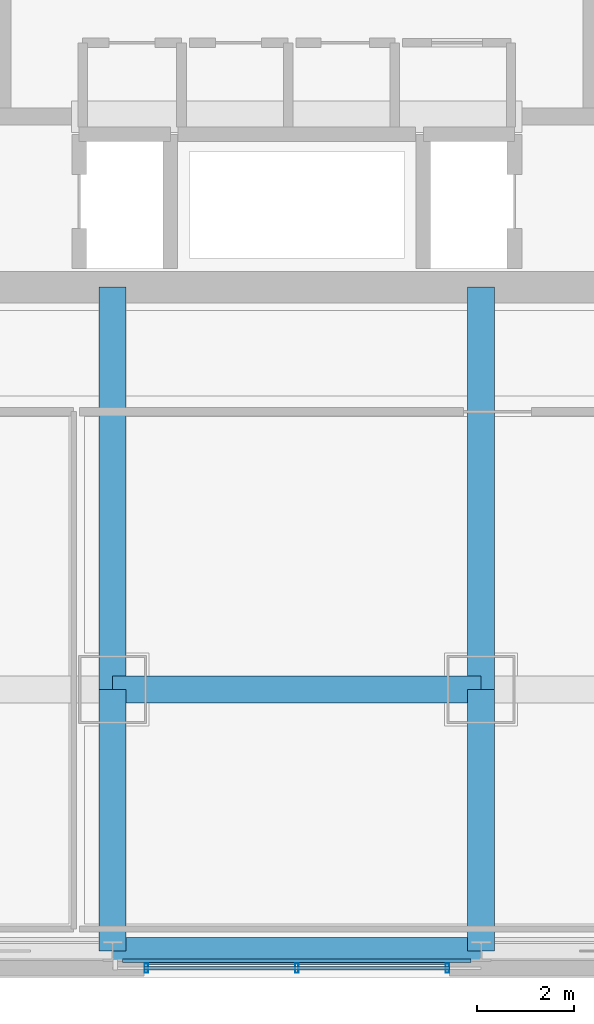
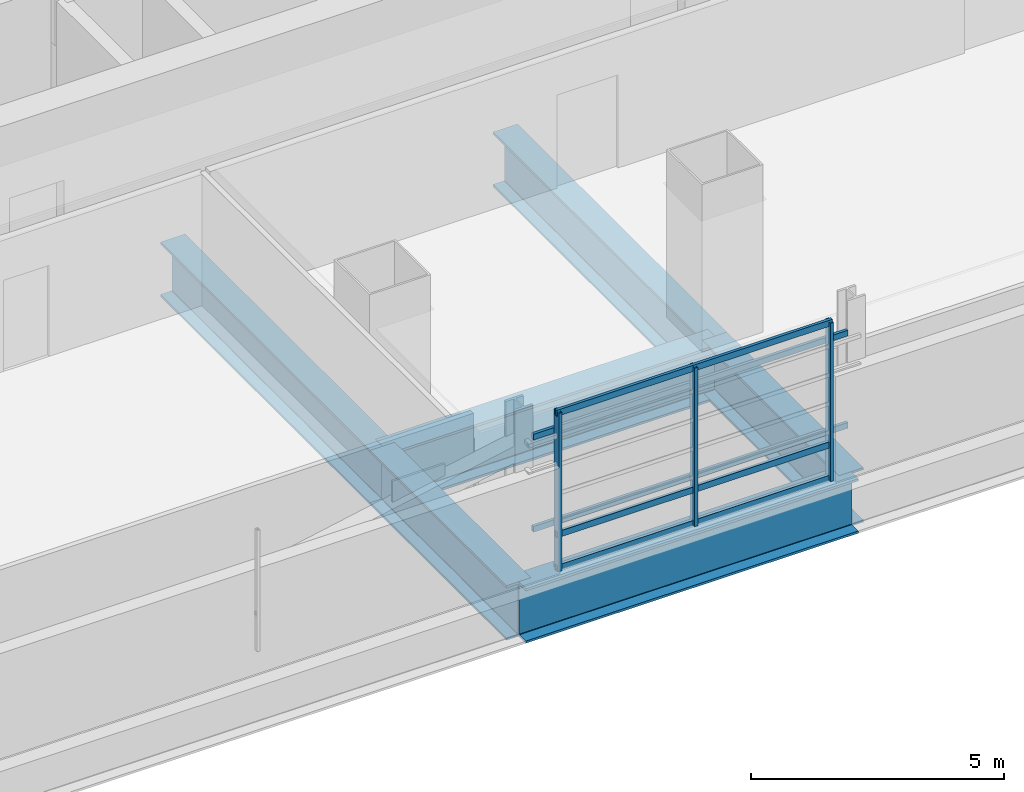
# One storey, part 2 of 27: 8 members, 6 beams, 1 element without a shape of its own.
"""IFC4 building model written with IfcOpenShell, lengths in metres."""

import ifcopenshell
import ifcopenshell.guid

model = None  # the IFC model being written
_history = None  # IfcOwnerHistory: only IFC2X3 demands one
_inside = {}  # id of a spatial element -> (the spatial element, [elements in it])
_under = {}  # id of a project, library or spatial element -> (it, [spatial elements below it])
_declared = {}  # id of a project -> (the project, [libraries it declares])
_typed = {}  # id of a type object -> (the type object, [elements of that type])
_made_of = {}  # id of a material, layer set ... -> (it, [elements and type objects made of it])


def new_model(schema):
    """Start an empty IFC model of exactly this schema.

    Asked for "IFC4X3", IfcOpenShell would pick the latest addendum, in which some entities
    have other attributes; the version numbers below select the first issue.
    IFC2X3 requires an IfcOwnerHistory on every rooted entity: one is made here for all.
    """
    global model, _history
    if schema == "IFC4X3":
        model = ifcopenshell.file(schema_version=(4, 3, 0, 0))
    else:
        model = ifcopenshell.file(schema=schema)
    _inside.clear()
    _under.clear()
    _declared.clear()
    _typed.clear()
    _made_of.clear()
    _history = None
    if model.schema == "IFC2X3":
        org = make("IfcOrganization", Name="unknown")
        user = make(
            "IfcPersonAndOrganization",
            ThePerson=make("IfcPerson", FamilyName="unknown"),
            TheOrganization=org,
        )
        app = make(
            "IfcApplication",
            ApplicationDeveloper=org,
            Version="unknown",
            ApplicationFullName="unknown",
            ApplicationIdentifier="unknown",
        )
        _history = make(
            "IfcOwnerHistory",
            OwningUser=user,
            OwningApplication=app,
            ChangeAction="ADDED",
            CreationDate=0,
        )
    return model


def make(cls, **values):
    """One entity of the class cls with the attributes given. An attribute that is None is left unset."""
    return model.create_entity(
        cls, **{name: value for name, value in values.items() if value is not None}
    )


def rooted(cls, **values):
    """An entity with a GlobalId (a new one), such as an element, a storey or a relation."""
    return make(cls, GlobalId=ifcopenshell.guid.new(), OwnerHistory=_history, **values)


def si_unit(unit_type, name, prefix=None):
    """IfcSIUnit, for example si_unit("LENGTHUNIT", "METRE", prefix="MILLI")."""
    return make("IfcSIUnit", UnitType=unit_type, Prefix=prefix, Name=name)


def assignment(units):
    """IfcUnitAssignment: the units of a project."""
    return None if units is None else make("IfcUnitAssignment", Units=units)


def point(xyz):
    """IfcCartesianPoint."""
    return None if xyz is None else make("IfcCartesianPoint", Coordinates=xyz)


def direction(xyz):
    """IfcDirection."""
    return None if xyz is None else make("IfcDirection", DirectionRatios=xyz)


def frame(location, z_axis=None, x_axis=None):
    """IfcAxis2Placement3D, a coordinate frame: its origin and axes. An axis left out is left unset."""
    return make(
        "IfcAxis2Placement3D",
        Location=point(location),
        Axis=direction(z_axis),
        RefDirection=direction(x_axis),
    )


def frame_2d(location, x_axis=None):
    """IfcAxis2Placement2D, a coordinate frame in the plane: its origin and x axis."""
    return make(
        "IfcAxis2Placement2D", Location=point(location), RefDirection=direction(x_axis)
    )


def origin():
    """The frame at (0, 0, 0) with its axes left unset."""
    return frame((0.0, 0.0, 0.0))


def origin_2d():
    """The frame at (0, 0) in the plane with its x axis left unset."""
    return frame_2d((0.0, 0.0))


def place(relative_to, where):
    """IfcLocalPlacement: puts the frame where relative to a parent placement (None: the world)."""
    return make(
        "IfcLocalPlacement", PlacementRelTo=relative_to, RelativePlacement=where
    )


def context(
    kind, dimensions, precision=None, world=None, true_north=None, identifier=None
):
    """IfcGeometricRepresentationContext, for example the 3D "Model" context."""
    return make(
        "IfcGeometricRepresentationContext",
        ContextIdentifier=identifier,
        ContextType=kind,
        CoordinateSpaceDimension=dimensions,
        Precision=precision,
        WorldCoordinateSystem=world,
        TrueNorth=true_north,
    )


def subcontext(parent, identifier, kind, view, scale=None):
    """IfcGeometricRepresentationSubContext, for example "Body" below "Model"."""
    return make(
        "IfcGeometricRepresentationSubContext",
        ContextIdentifier=identifier,
        ContextType=kind,
        ParentContext=parent,
        TargetScale=scale,
        TargetView=view,
    )


def project(units=None, contexts=None):
    """IfcProject with its units and contexts."""
    return rooted(
        "IfcProject",
        Name="project",
        RepresentationContexts=contexts,
        UnitsInContext=assignment(units),
    )


def spatial(cls, under=None, at=None, **own):
    """A site, building, storey or space (cls), placed at a placement, below another one or the project."""
    s = rooted(cls, ObjectPlacement=at, **own)
    if under is not None:
        _under.setdefault(under.id(), (under, []))[1].append(s)
    return s


def profile(cls, at=None, kind="AREA", **sizes):
    """A parametric profile (cls). Its sizes go by their IFC names, for example OverallWidth=200.0."""
    return make(cls, ProfileType=kind, Position=at, **sizes)


def hollow_rectangle(**sizes):
    """IfcRectangleHollowProfileDef."""
    return profile("IfcRectangleHollowProfileDef", **sizes)


def i_section(**sizes):
    """IfcIShapeProfileDef."""
    return profile("IfcIShapeProfileDef", **sizes)


def extrude(swept, where, along, depth):
    """IfcExtrudedAreaSolid: the profile swept, set in the frame where, extruded along a direction by depth."""
    return make(
        "IfcExtrudedAreaSolid",
        SweptArea=swept,
        Position=where,
        ExtrudedDirection=direction(along),
        Depth=depth,
    )


def shape(context_of_items, identifier, shape_type, items):
    """IfcShapeRepresentation: the items that make up one representation, for example the "Body"."""
    return make(
        "IfcShapeRepresentation",
        ContextOfItems=context_of_items,
        RepresentationIdentifier=identifier,
        RepresentationType=shape_type,
        Items=items,
    )


def material(Name=None, Category=None):
    """IfcMaterial."""
    return make("IfcMaterial", Name=Name, Category=Category)


def material_profile(
    of_material, cross_section, Name=None, Category=None, Priority=None
):
    """IfcMaterialProfile: a cross section and its material."""
    return make(
        "IfcMaterialProfile",
        Name=Name,
        Material=of_material,
        Profile=cross_section,
        Priority=Priority,
        Category=Category,
    )


def profile_set(profiles, Name=None, composite=None):
    """IfcMaterialProfileSet."""
    return make(
        "IfcMaterialProfileSet",
        Name=Name,
        MaterialProfiles=profiles,
        CompositeProfile=composite,
    )


def made_of(thing, what):
    """Note that an element or type object is made of a material, layer set ...; save() writes the relation."""
    if what is not None:
        _made_of.setdefault(what.id(), (what, []))[1].append(thing)
    return thing


def type_object(cls, material=None, **own):
    """A type object (cls), such as IfcWallType, which elements share."""
    return made_of(rooted(cls, **own), material)


def element(
    cls,
    number,
    at=None,
    inside=None,
    cuts=None,
    type_object=None,
    material=None,
    context=None,
    identifier="Body",
    shape_type=None,
    held_by="IfcProductDefinitionShape",
    body=None,
    shapes=None,
    **own,
):
    """One element of the class cls, such as IfcWall. Its Tag is "e" and its number.

    at: its placement. inside: the storey or other place that contains it. cuts: it is an
    opening in that element (IfcRelVoidsElement). A single representation is given by context,
    identifier, shape_type and body (its items); several are given by shapes. held_by: the class
    of the entity that holds the representations. save() writes the other relations.
    """
    e = rooted(cls, Tag="e%d" % number, ObjectPlacement=at, **own)
    if body is not None:
        shapes = [shape(context, identifier, shape_type, body)]
    if shapes is not None:
        e.Representation = make(held_by, Representations=shapes)
    if inside is not None:
        _inside.setdefault(inside.id(), (inside, []))[1].append(e)
    if cuts is not None:
        rooted(
            "IfcRelVoidsElement", RelatingBuildingElement=cuts, RelatedOpeningElement=e
        )
    if type_object is not None:
        _typed.setdefault(type_object.id(), (type_object, []))[1].append(e)
    return made_of(e, material)


def aggregate(whole, parts):
    """IfcRelAggregates: a whole, such as a stair, and the parts it consists of."""
    return rooted("IfcRelAggregates", RelatingObject=whole, RelatedObjects=parts)


def save(model, path):
    """Write the relations noted so far, then the file.

    IfcRelAggregates (storeys below a building ...), IfcRelContainedInSpatialStructure (elements
    in a storey), IfcRelDefinesByType, IfcRelAssociatesMaterial and IfcRelDeclares: one each for
    every whole, place, type object, material and project.
    """
    for whole, parts in _under.values():
        aggregate(whole, parts)
    for where, things in _inside.values():
        rooted(
            "IfcRelContainedInSpatialStructure",
            RelatedElements=things,
            RelatingStructure=where,
        )
    for kind, things in _typed.values():
        rooted("IfcRelDefinesByType", RelatedObjects=things, RelatingType=kind)
    for what, things in _made_of.values():
        rooted("IfcRelAssociatesMaterial", RelatedObjects=things, RelatingMaterial=what)
    for by, libraries in _declared.values():
        rooted("IfcRelDeclares", RelatingContext=by, RelatedDefinitions=libraries)
    model.write(path)


model = new_model("IFC4")

# Units and contexts
model_context = context("Model", 3, precision=1e-05, world=origin(), true_north=direction((0.0, 1.0)))
body_context = subcontext(model_context, "Body", "Model", "MODEL_VIEW")
ifc_project = project(units=[si_unit("LENGTHUNIT", "METRE"), si_unit("AREAUNIT", "SQUARE_METRE"), si_unit("VOLUMEUNIT", "CUBIC_METRE"), si_unit("PLANEANGLEUNIT", "RADIAN"), si_unit("MASSUNIT", "GRAM", prefix="KILO")], contexts=[model_context])

# Site, building, storey
site_placement = place(None, origin())
site = spatial("IfcSite", under=ifc_project, at=site_placement, CompositionType="ELEMENT")
building_placement = place(site_placement, origin())
building = spatial("IfcBuilding", under=site, at=building_placement, Name="Punatoya Terracotta Tower", CompositionType="ELEMENT")
storey_placement = place(building_placement, frame((0.0, 0.0, 204.60009765625)))
storey = spatial("IfcBuildingStorey", under=building, at=storey_placement, Name="L48", CompositionType="ELEMENT", Elevation=204.60009765625)

# Beams
ifc_material_1 = material(Name="Steel S460", Category="steel")
ifc_material_profile_1 = material_profile(ifc_material_1, i_section(OverallWidth=0.56005859375, OverallDepth=1.320068359375, WebThickness=0.035888671875, FlangeThickness=0.054931640625, FilletRadius=0.01806640625, at=origin_2d()))
ifc_profile_set_1 = profile_set([ifc_material_profile_1], Name="Steel S460")
beam_type = type_object("IfcBeamType", Name="BM-TG-BLK", PredefinedType="BEAM", material=ifc_profile_set_1)
beam_1_placement = place(storey_placement, frame((-3.800048828125, -17.5, -0.940185546875), z_axis=(1.0, 0.0, 0.0), x_axis=(0.0, 1.0, 0.0)))
element("IfcBeam", 1, at=beam_1_placement, inside=storey, type_object=beam_type, Name="BM-L48-RG-S2", PredefinedType="BEAM", context=body_context, shape_type="SweptSolid", body=[
    extrude(i_section(OverallWidth=0.56005859375, OverallDepth=1.320068359375, WebThickness=0.035888671875, FlangeThickness=0.054931640625, FilletRadius=0.01806640625, at=origin_2d()), origin(), (0.0, 0.0, 1.0), 7.60009765625),
])
for number, where, z_axis, x_axis, name in (
    (2, (-3.800048828125, -17.5, -0.940185546875), (0.0, 1.0, 0.0), (-1.0, 0.0, 0.0), "BM-L48-PR-S2"),
    (3, (3.800048828125, -17.5, -0.940185546875), (0.0, 1.0, 0.0), (-1.0, 0.0, 0.0), "BM-L48-PR-S3"),
):
    element("IfcBeam", number, at=place(storey_placement, frame(where, z_axis=z_axis, x_axis=x_axis)), inside=storey, type_object=beam_type, Name=name, PredefinedType="BEAM", context=body_context, shape_type="SweptSolid", body=[
        extrude(i_section(OverallWidth=0.56005859375, OverallDepth=1.320068359375, WebThickness=0.035888671875, FlangeThickness=0.054931640625, FilletRadius=0.01806640625, at=origin_2d()), origin(), (0.0, 0.0, 1.0), 8.300048828125),
    ])
for number, where, z_axis, x_axis, name in (
    (4, (-3.800048828125, -22.89990234375, -0.940185546875), (0.0, 1.0, 0.0), (-1.0, 0.0, 0.0), "BM-L48-CANT-S2"),
    (5, (3.800048828125, -22.89990234375, -0.940185546875), (0.0, 1.0, 0.0), (-1.0, 0.0, 0.0), "BM-L48-CANT-S3"),
):
    element("IfcBeam", number, at=place(storey_placement, frame(where, z_axis=z_axis, x_axis=x_axis)), inside=storey, type_object=beam_type, Name=name, PredefinedType="BEAM", context=body_context, shape_type="SweptSolid", body=[
        extrude(i_section(OverallWidth=0.56005859375, OverallDepth=1.320068359375, WebThickness=0.035888671875, FlangeThickness=0.054931640625, FilletRadius=0.01806640625, at=origin_2d()), origin(), (0.0, 0.0, 1.0), 5.39990234375),
    ])
beam_2_placement = place(storey_placement, frame((-3.800048828125, -22.89990234375, -0.940185546875), z_axis=(1.0, 0.0, 0.0), x_axis=(0.0, 1.0, 0.0)))
element("IfcBeam", 6, at=beam_2_placement, inside=storey, type_object=beam_type, Name="BM-L48-PER-S2", PredefinedType="BEAM", context=body_context, shape_type="SweptSolid", body=[
    extrude(i_section(OverallWidth=0.56005859375, OverallDepth=1.320068359375, WebThickness=0.035888671875, FlangeThickness=0.054931640625, FilletRadius=0.01806640625, at=origin_2d()), origin(), (0.0, 0.0, 1.0), 7.60009765625),
])

# Curtain wall, members
ifc_material_2 = material(Name="Aluminium 6063-T6 + Double Low-E Glass", Category="aluminium")
curtain_wall_type = type_object("IfcCurtainWallType", Name="CW-M2", PredefinedType="NOTDEFINED", material=ifc_material_2)
curtain_wall_placement = place(storey_placement, origin())
curtain_wall = element("IfcCurtainWall", 7, at=curtain_wall_placement, inside=storey, type_object=curtain_wall_type, Name="L48 Curtain Wall CW-L48-S01-1", PredefinedType="NOTDEFINED")
ifc_material_3 = material(Name="Aluminium 6063-T6", Category="aluminium")
ifc_material_profile_2 = material_profile(ifc_material_3, hollow_rectangle(XDim=0.072021484375, YDim=0.195068359375, WallThickness=0.00439453125, at=origin_2d()))
ifc_profile_set_2 = profile_set([ifc_material_profile_2], Name="Aluminium 6063-T6")
member_type_1 = type_object("IfcMemberType", Name="CW-MUL-M2", PredefinedType="MULLION", material=ifc_profile_set_2)
member_1_placement = place(storey_placement, frame((-3.10498046875, -23.25, 0.0), z_axis=(0.0, 0.0, 1.0), x_axis=(1.0, 0.0, 0.0)))
member_1 = element("IfcMember", 8, at=member_1_placement, type_object=member_type_1, Name="CW-L48-S01-1 Mullion 00", PredefinedType="MULLION", context=body_context, shape_type="SweptSolid", body=[
    extrude(hollow_rectangle(XDim=0.072021484375, YDim=0.195068359375, WallThickness=0.00439453125, at=origin_2d()), origin(), (0.0, 0.0, 1.0), 3.829833984375),
])
member_2_placement = place(storey_placement, frame((0.0, -23.25, 0.0), z_axis=(0.0, 0.0, 1.0), x_axis=(1.0, 0.0, 0.0)))
member_2 = element("IfcMember", 9, at=member_2_placement, type_object=member_type_1, Name="CW-L48-S01-1 Mullion 01", PredefinedType="MULLION", context=body_context, shape_type="SweptSolid", body=[
    extrude(hollow_rectangle(XDim=0.072021484375, YDim=0.195068359375, WallThickness=0.00439453125, at=origin_2d()), origin(), (0.0, 0.0, 1.0), 3.829833984375),
])
member_3_placement = place(storey_placement, frame((3.10498046875, -23.25, 0.0), z_axis=(0.0, 0.0, 1.0), x_axis=(1.0, 0.0, 0.0)))
member_3 = element("IfcMember", 10, at=member_3_placement, type_object=member_type_1, Name="CW-L48-S01-1 Mullion 02", PredefinedType="MULLION", context=body_context, shape_type="SweptSolid", body=[
    extrude(hollow_rectangle(XDim=0.072021484375, YDim=0.195068359375, WallThickness=0.00439453125, at=origin_2d()), origin(), (0.0, 0.0, 1.0), 3.829833984375),
])
ifc_material_profile_3 = material_profile(ifc_material_3, hollow_rectangle(XDim=0.068115234375, YDim=0.14990234375, WallThickness=0.00390625, at=origin_2d()))
ifc_profile_set_3 = profile_set([ifc_material_profile_3], Name="Aluminium 6063-T6")
member_type_2 = type_object("IfcMemberType", Name="CW-TRN-TYP", PredefinedType="USERDEFINED", material=ifc_profile_set_3)
member_4_placement = place(storey_placement, frame((-3.14990234375, -23.25, 0.039794921875), z_axis=(1.0, 0.0, 0.0), x_axis=(0.0, 1.0, 0.0)))
member_4 = element("IfcMember", 11, at=member_4_placement, type_object=member_type_2, Name="CW-L48-S01-1 Transom 1", ObjectType="TRANSOM", PredefinedType="USERDEFINED", context=body_context, shape_type="SweptSolid", body=[
    extrude(hollow_rectangle(XDim=0.068115234375, YDim=0.14990234375, WallThickness=0.00390625, at=origin_2d()), origin(), (0.0, 0.0, 1.0), 6.2998046875),
])
member_5_placement = place(storey_placement, frame((-3.14990234375, -23.25, 0.849853515625), z_axis=(1.0, 0.0, 0.0), x_axis=(0.0, 1.0, 0.0)))
member_5 = element("IfcMember", 12, at=member_5_placement, type_object=member_type_2, Name="CW-L48-S01-1 Transom 2", ObjectType="TRANSOM", PredefinedType="USERDEFINED", context=body_context, shape_type="SweptSolid", body=[
    extrude(hollow_rectangle(XDim=0.068115234375, YDim=0.14990234375, WallThickness=0.00390625, at=origin_2d()), origin(), (0.0, 0.0, 1.0), 6.2998046875),
])
member_6_placement = place(storey_placement, frame((-3.14990234375, -23.25, 3.789794921875), z_axis=(1.0, 0.0, 0.0), x_axis=(0.0, 1.0, 0.0)))
member_6 = element("IfcMember", 13, at=member_6_placement, type_object=member_type_2, Name="CW-L48-S01-1 Transom 3", ObjectType="TRANSOM", PredefinedType="USERDEFINED", context=body_context, shape_type="SweptSolid", body=[
    extrude(hollow_rectangle(XDim=0.068115234375, YDim=0.14990234375, WallThickness=0.00390625, at=origin_2d()), origin(), (0.0, 0.0, 1.0), 6.2998046875),
])
aggregate(curtain_wall, [member_1, member_2, member_3, member_4, member_5, member_6])

# Members
ifc_material_4 = material(Name="Steel S355", Category="steel")
ifc_material_profile_4 = material_profile(ifc_material_4, hollow_rectangle(XDim=0.070068359375, YDim=0.139892578125, WallThickness=0.006103515625, at=origin_2d()))
ifc_profile_set_4 = profile_set([ifc_material_profile_4], Name="Steel S355")
member_type_3 = type_object("IfcMemberType", Name="MEM-BAG-RAIL", PredefinedType="USERDEFINED", material=ifc_profile_set_4)
for number, where, z_axis, x_axis, name in (
    (14, (-3.595947265625, -23.094482421875, 1.0498046875), (1.0, 0.0, 0.0), (0.0, 1.0, 0.0), "L48 Terracotta Baguette Carrier Rail BAG-L48-S-R1"),
    (15, (-3.595947265625, -23.094482421875, 3.27978515625), (1.0, 0.0, 0.0), (0.0, 1.0, 0.0), "L48 Terracotta Baguette Carrier Rail BAG-L48-S-R2"),
):
    element("IfcMember", number, at=place(storey_placement, frame(where, z_axis=z_axis, x_axis=x_axis)), inside=storey, type_object=member_type_3, Name=name, ObjectType="BAGUETTE", PredefinedType="USERDEFINED", context=body_context, shape_type="SweptSolid", body=[
        extrude(hollow_rectangle(XDim=0.070068359375, YDim=0.139892578125, WallThickness=0.006103515625, at=origin_2d()), origin(), (0.0, 0.0, 1.0), 7.19189453125),
    ])

save(model, "model.ifc")
